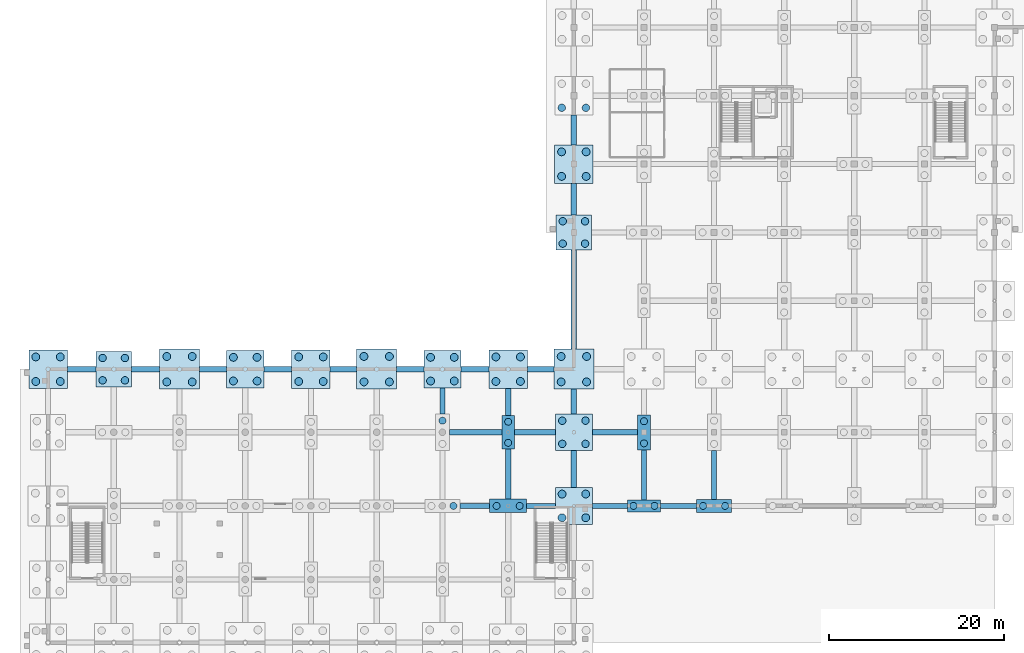
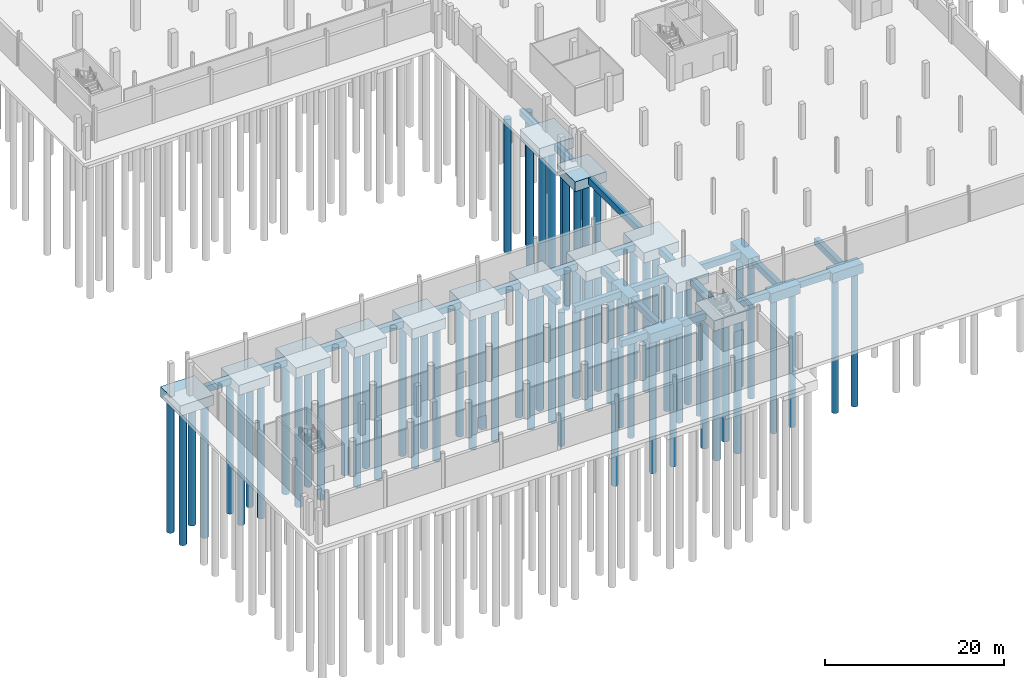
# One storey, part 3 of 44: 66 piles, 43 footings.
"""IFC4 building model written with IfcOpenShell, lengths in metres."""

from ifc_helpers import new_model, si_unit, direction, frame, origin, origin_2d, place, context, subcontext, project, spatial, polyline, rectangle, circle, outline, extrude, material, material_profile, profile_set, type_object, element, save


model = new_model("IFC4")

# Units and contexts
model_context = context("Model", 3, precision=1e-05, world=origin(), true_north=direction((0.0, 1.0)))
body_context = subcontext(model_context, "Body", "Model", "MODEL_VIEW")
ifc_project = project(units=[si_unit("LENGTHUNIT", "METRE"), si_unit("AREAUNIT", "SQUARE_METRE"), si_unit("VOLUMEUNIT", "CUBIC_METRE"), si_unit("PLANEANGLEUNIT", "RADIAN"), si_unit("MASSUNIT", "GRAM", prefix="KILO")], contexts=[model_context])

# Site, building, storey
site_placement = place(None, origin())
site = spatial("IfcSite", under=ifc_project, at=site_placement, CompositionType="ELEMENT")
building_placement = place(site_placement, origin())
building = spatial("IfcBuilding", under=site, at=building_placement, Name="Yukiwa Park Conservatory and Herbarium", CompositionType="ELEMENT")
storey_placement = place(building_placement, frame((0.0, 0.0, -4.800048828125)))
storey = spatial("IfcBuildingStorey", under=building, at=storey_placement, Name="B1", CompositionType="ELEMENT", Elevation=-4.800048828125)

# Footings
ifc_material_1 = material(Name="Concrete C35", Category="concrete")
footing_type_1 = type_object("IfcFootingType", Name="FT-BEAM-600X900", PredefinedType="FOOTING_BEAM", material=ifc_material_1)
footing_1_placement = place(storey_placement, frame((0.0, 0.0, -1.349853515625)))
element("IfcFooting", 1, at=footing_1_placement, inside=storey, type_object=footing_type_1, Name="Foundation tie beam X-23", PredefinedType="FOOTING_BEAM", context=body_context, shape_type="SweptSolid", body=[
    extrude(outline(polyline([(47.0, 15.300048828125), (50.39990234375, 15.300048828125), (50.39990234375, 15.89990234375), (47.0, 15.89990234375), (47.0, 15.300048828125)])), origin(), (0.0, 0.0, 1.0), 0.89990234375),
])
footing_2_placement = place(storey_placement, frame((0.0, 0.0, -1.349853515625)))
element("IfcFooting", 2, at=footing_2_placement, inside=storey, type_object=footing_type_1, Name="Foundation tie beam X-24", PredefinedType="FOOTING_BEAM", context=body_context, shape_type="SweptSolid", body=[
    extrude(outline(polyline([(54.60009765625, 15.300048828125), (57.8798828125, 15.300048828125), (57.8798828125, 15.89990234375), (54.60009765625, 15.89990234375), (54.60009765625, 15.300048828125)])), origin(), (0.0, 0.0, 1.0), 0.89990234375),
])
footing_3_placement = place(storey_placement, frame((0.0, 0.0, -1.349853515625)))
element("IfcFooting", 3, at=footing_3_placement, inside=storey, type_object=footing_type_1, Name="Foundation tie beam X-25", PredefinedType="FOOTING_BEAM", context=body_context, shape_type="SweptSolid", body=[
    extrude(outline(polyline([(62.1201171875, 15.300048828125), (66.10009765625, 15.300048828125), (66.10009765625, 15.89990234375), (62.1201171875, 15.89990234375), (62.1201171875, 15.300048828125)])), origin(), (0.0, 0.0, 1.0), 0.89990234375),
])
footing_4_placement = place(storey_placement, frame((0.0, 0.0, -1.349853515625)))
element("IfcFooting", 4, at=footing_4_placement, inside=storey, type_object=footing_type_1, Name="Foundation tie beam X-26", PredefinedType="FOOTING_BEAM", context=body_context, shape_type="SweptSolid", body=[
    extrude(outline(polyline([(69.89990234375, 15.300048828125), (74.0, 15.300048828125), (74.0, 15.89990234375), (69.89990234375, 15.89990234375), (69.89990234375, 15.300048828125)])), origin(), (0.0, 0.0, 1.0), 0.89990234375),
])
footing_5_placement = place(storey_placement, frame((0.0, 0.0, -1.349853515625)))
element("IfcFooting", 5, at=footing_5_placement, inside=storey, type_object=footing_type_1, Name="Foundation tie beam X-37", PredefinedType="FOOTING_BEAM", context=body_context, shape_type="SweptSolid", body=[
    extrude(outline(polyline([(45.780029296875, 23.699951171875), (51.800048828125, 23.699951171875), (51.800048828125, 24.300048828125), (45.780029296875, 24.300048828125), (45.780029296875, 23.699951171875)])), origin(), (0.0, 0.0, 1.0), 0.89990234375),
])
footing_6_placement = place(storey_placement, frame((0.0, 0.0, -1.349853515625)))
element("IfcFooting", 6, at=footing_6_placement, inside=storey, type_object=footing_type_1, Name="Foundation tie beam X-38", PredefinedType="FOOTING_BEAM", context=body_context, shape_type="SweptSolid", body=[
    extrude(outline(polyline([(53.199951171875, 23.699951171875), (57.89990234375, 23.699951171875), (57.89990234375, 24.300048828125), (53.199951171875, 24.300048828125), (53.199951171875, 23.699951171875)])), origin(), (0.0, 0.0, 1.0), 0.89990234375),
])
footing_7_placement = place(storey_placement, frame((0.0, 0.0, -1.349853515625)))
element("IfcFooting", 7, at=footing_7_placement, inside=storey, type_object=footing_type_1, Name="Foundation tie beam X-39", PredefinedType="FOOTING_BEAM", context=body_context, shape_type="SweptSolid", body=[
    extrude(outline(polyline([(62.10009765625, 23.699951171875), (67.260009765625, 23.699951171875), (67.260009765625, 24.300048828125), (62.10009765625, 24.300048828125), (62.10009765625, 23.699951171875)])), origin(), (0.0, 0.0, 1.0), 0.89990234375),
])
footing_8_placement = place(storey_placement, frame((0.0, 0.0, -1.349853515625)))
element("IfcFooting", 8, at=footing_8_placement, inside=storey, type_object=footing_type_1, Name="Foundation tie beam X-45", PredefinedType="FOOTING_BEAM", context=body_context, shape_type="SweptSolid", body=[
    extrude(outline(polyline([(2.199951171875, 30.89990234375), (5.47998046875, 30.89990234375), (5.47998046875, 31.5), (2.199951171875, 31.5), (2.199951171875, 30.89990234375)])), origin(), (0.0, 0.0, 1.0), 0.89990234375),
])
footing_9_placement = place(storey_placement, frame((0.0, 0.0, -1.349853515625)))
element("IfcFooting", 9, at=footing_9_placement, inside=storey, type_object=footing_type_1, Name="Foundation tie beam X-46", PredefinedType="FOOTING_BEAM", context=body_context, shape_type="SweptSolid", body=[
    extrude(outline(polyline([(9.52001953125, 30.89990234375), (12.719970703125, 30.89990234375), (12.719970703125, 31.5), (9.52001953125, 31.5), (9.52001953125, 30.89990234375)])), origin(), (0.0, 0.0, 1.0), 0.89990234375),
])
footing_10_placement = place(storey_placement, frame((0.0, 0.0, -1.349853515625)))
element("IfcFooting", 10, at=footing_10_placement, inside=storey, type_object=footing_type_1, Name="Foundation tie beam X-47", PredefinedType="FOOTING_BEAM", context=body_context, shape_type="SweptSolid", body=[
    extrude(outline(polyline([(17.280029296875, 30.89990234375), (20.3798828125, 30.89990234375), (20.3798828125, 31.5), (17.280029296875, 31.5), (17.280029296875, 30.89990234375)])), origin(), (0.0, 0.0, 1.0), 0.89990234375),
])
footing_11_placement = place(storey_placement, frame((0.0, 0.0, -1.349853515625)))
element("IfcFooting", 11, at=footing_11_placement, inside=storey, type_object=footing_type_1, Name="Foundation tie beam X-48", PredefinedType="FOOTING_BEAM", context=body_context, shape_type="SweptSolid", body=[
    extrude(outline(polyline([(24.6201171875, 30.89990234375), (27.800048828125, 30.89990234375), (27.800048828125, 31.5), (24.6201171875, 31.5), (24.6201171875, 30.89990234375)])), origin(), (0.0, 0.0, 1.0), 0.89990234375),
])
footing_12_placement = place(storey_placement, frame((0.0, 0.0, -1.349853515625)))
element("IfcFooting", 12, at=footing_12_placement, inside=storey, type_object=footing_type_1, Name="Foundation tie beam X-49", PredefinedType="FOOTING_BEAM", context=body_context, shape_type="SweptSolid", body=[
    extrude(outline(polyline([(32.199951171875, 30.89990234375), (35.219970703125, 30.89990234375), (35.219970703125, 31.5), (32.199951171875, 31.5), (32.199951171875, 30.89990234375)])), origin(), (0.0, 0.0, 1.0), 0.89990234375),
])
footing_13_placement = place(storey_placement, frame((0.0, 0.0, -1.349853515625)))
element("IfcFooting", 13, at=footing_13_placement, inside=storey, type_object=footing_type_1, Name="Foundation tie beam X-50", PredefinedType="FOOTING_BEAM", context=body_context, shape_type="SweptSolid", body=[
    extrude(outline(polyline([(39.780029296875, 30.89990234375), (42.8798828125, 30.89990234375), (42.8798828125, 31.5), (39.780029296875, 31.5), (39.780029296875, 30.89990234375)])), origin(), (0.0, 0.0, 1.0), 0.89990234375),
])
footing_14_placement = place(storey_placement, frame((0.0, 0.0, -1.349853515625)))
element("IfcFooting", 14, at=footing_14_placement, inside=storey, type_object=footing_type_1, Name="Foundation tie beam X-51", PredefinedType="FOOTING_BEAM", context=body_context, shape_type="SweptSolid", body=[
    extrude(outline(polyline([(47.1201171875, 30.89990234375), (50.300048828125, 30.89990234375), (50.300048828125, 31.5), (47.1201171875, 31.5), (47.1201171875, 30.89990234375)])), origin(), (0.0, 0.0, 1.0), 0.89990234375),
])
footing_15_placement = place(storey_placement, frame((0.0, 0.0, -1.349853515625)))
element("IfcFooting", 15, at=footing_15_placement, inside=storey, type_object=footing_type_1, Name="Foundation tie beam X-52", PredefinedType="FOOTING_BEAM", context=body_context, shape_type="SweptSolid", body=[
    extrude(outline(polyline([(54.699951171875, 30.89990234375), (57.719970703125, 30.89990234375), (57.719970703125, 31.5), (54.699951171875, 31.5), (54.699951171875, 30.89990234375)])), origin(), (0.0, 0.0, 1.0), 0.89990234375),
])
footing_16_placement = place(storey_placement, frame((0.0, 0.0, -1.349853515625)))
element("IfcFooting", 16, at=footing_16_placement, inside=storey, type_object=footing_type_1, Name="Foundation tie beam Y-203", PredefinedType="FOOTING_BEAM", context=body_context, shape_type="SweptSolid", body=[
    extrude(outline(polyline([(44.699951171875, 26.10009765625), (45.300048828125, 26.10009765625), (45.300048828125, 29.080078125), (44.699951171875, 29.080078125), (44.699951171875, 26.10009765625)])), origin(), (0.0, 0.0, 1.0), 0.89990234375),
])
footing_17_placement = place(storey_placement, frame((0.0, 0.0, -1.349853515625)))
element("IfcFooting", 17, at=footing_17_placement, inside=storey, type_object=footing_type_1, Name="Foundation tie beam Y-210", PredefinedType="FOOTING_BEAM", context=body_context, shape_type="SweptSolid", body=[
    extrude(outline(polyline([(52.199951171875, 16.3798828125), (52.800048828125, 16.3798828125), (52.800048828125, 22.10009765625), (52.199951171875, 22.10009765625), (52.199951171875, 16.3798828125)])), origin(), (0.0, 0.0, 1.0), 0.89990234375),
])
footing_18_placement = place(storey_placement, frame((0.0, 0.0, -1.349853515625)))
element("IfcFooting", 18, at=footing_18_placement, inside=storey, type_object=footing_type_1, Name="Foundation tie beam Y-211", PredefinedType="FOOTING_BEAM", context=body_context, shape_type="SweptSolid", body=[
    extrude(outline(polyline([(52.199951171875, 25.89990234375), (52.800048828125, 25.89990234375), (52.800048828125, 29.0), (52.199951171875, 29.0), (52.199951171875, 25.89990234375)])), origin(), (0.0, 0.0, 1.0), 0.89990234375),
])
footing_19_placement = place(storey_placement, frame((0.0, 0.0, -1.349853515625)))
element("IfcFooting", 19, at=footing_19_placement, inside=storey, type_object=footing_type_1, Name="Foundation tie beam Y-218", PredefinedType="FOOTING_BEAM", context=body_context, shape_type="SweptSolid", body=[
    extrude(outline(polyline([(59.699951171875, 17.719970703125), (60.300048828125, 17.719970703125), (60.300048828125, 21.89990234375), (59.699951171875, 21.89990234375), (59.699951171875, 17.719970703125)])), origin(), (0.0, 0.0, 1.0), 0.89990234375),
])
footing_20_placement = place(storey_placement, frame((0.0, 0.0, -1.349853515625)))
element("IfcFooting", 20, at=footing_20_placement, inside=storey, type_object=footing_type_1, Name="Foundation tie beam Y-219", PredefinedType="FOOTING_BEAM", context=body_context, shape_type="SweptSolid", body=[
    extrude(outline(polyline([(59.699951171875, 26.10009765625), (60.300048828125, 26.10009765625), (60.300048828125, 28.919921875), (59.699951171875, 28.919921875), (59.699951171875, 26.10009765625)])), origin(), (0.0, 0.0, 1.0), 0.89990234375),
])
footing_21_placement = place(storey_placement, frame((0.0, 0.0, -1.349853515625)))
element("IfcFooting", 21, at=footing_21_placement, inside=storey, type_object=footing_type_1, Name="Foundation tie beam Y-220", PredefinedType="FOOTING_BEAM", context=body_context, shape_type="SweptSolid", body=[
    extrude(outline(polyline([(59.699951171875, 33.47998046875), (60.300048828125, 33.47998046875), (60.300048828125, 44.780029296875), (59.699951171875, 44.780029296875), (59.699951171875, 33.47998046875)])), origin(), (0.0, 0.0, 1.0), 0.89990234375),
])
footing_22_placement = place(storey_placement, frame((0.0, 0.0, -1.349853515625)))
element("IfcFooting", 22, at=footing_22_placement, inside=storey, type_object=footing_type_1, Name="Foundation tie beam Y-221", PredefinedType="FOOTING_BEAM", context=body_context, shape_type="SweptSolid", body=[
    extrude(outline(polyline([(59.699951171875, 48.820068359375), (60.300048828125, 48.820068359375), (60.300048828125, 52.39990234375), (59.699951171875, 52.39990234375), (59.699951171875, 48.820068359375)])), origin(), (0.0, 0.0, 1.0), 0.89990234375),
])
footing_23_placement = place(storey_placement, frame((0.0, 0.0, -1.349853515625)))
element("IfcFooting", 23, at=footing_23_placement, inside=storey, type_object=footing_type_1, Name="Foundation tie beam Y-222", PredefinedType="FOOTING_BEAM", context=body_context, shape_type="SweptSolid", body=[
    extrude(outline(polyline([(59.699951171875, 56.800048828125), (60.300048828125, 56.800048828125), (60.300048828125, 60.219970703125), (59.699951171875, 60.219970703125), (59.699951171875, 56.800048828125)])), origin(), (0.0, 0.0, 1.0), 0.89990234375),
])
footing_24_placement = place(storey_placement, frame((0.0, 0.0, -1.349853515625)))
element("IfcFooting", 24, at=footing_24_placement, inside=storey, type_object=footing_type_1, Name="Foundation tie beam Y-229", PredefinedType="FOOTING_BEAM", context=body_context, shape_type="SweptSolid", body=[
    extrude(outline(polyline([(67.699951171875, 16.300048828125), (68.300048828125, 16.300048828125), (68.300048828125, 22.0), (67.699951171875, 22.0), (67.699951171875, 16.300048828125)])), origin(), (0.0, 0.0, 1.0), 0.89990234375),
])
footing_25_placement = place(storey_placement, frame((0.0, 0.0, -1.349853515625)))
element("IfcFooting", 25, at=footing_25_placement, inside=storey, type_object=footing_type_1, Name="Foundation tie beam Y-238", PredefinedType="FOOTING_BEAM", context=body_context, shape_type="SweptSolid", body=[
    extrude(outline(polyline([(75.699951171875, 16.340087890625), (76.300048828125, 16.340087890625), (76.300048828125, 21.89990234375), (75.699951171875, 21.89990234375), (75.699951171875, 16.340087890625)])), origin(), (0.0, 0.0, 1.0), 0.89990234375),
])
ifc_material_2 = material(Name="Concrete C35", Category="concrete")
footing_type_2 = type_object("IfcFootingType", Name="FT-PC-1400X3800X1350", PredefinedType="PILE_CAP", material=ifc_material_2)
footing_26_placement = place(storey_placement, frame((52.5, 24.0, -1.800048828125), z_axis=(0.0, 0.0, 1.0), x_axis=(1.0, 0.0, 0.0)))
element("IfcFooting", 26, at=footing_26_placement, inside=storey, type_object=footing_type_2, Name="Reinforced concrete pile cap 64", PredefinedType="PILE_CAP", context=body_context, shape_type="SweptSolid", body=[
    extrude(rectangle(XDim=1.39990234375, YDim=3.800048828125, at=origin_2d()), origin(), (0.0, 0.0, 1.0), 1.35009765625),
])
ifc_material_3 = material(Name="Concrete C35", Category="concrete")
footing_type_3 = type_object("IfcFootingType", Name="FT-PC-1480X4000X1350", PredefinedType="PILE_CAP", material=ifc_material_3)
footing_27_placement = place(storey_placement, frame((68.0, 24.0, -1.800048828125), z_axis=(0.0, 0.0, 1.0), x_axis=(1.0, 0.0, 0.0)))
element("IfcFooting", 27, at=footing_27_placement, inside=storey, type_object=footing_type_3, Name="Reinforced concrete pile cap 86", PredefinedType="PILE_CAP", context=body_context, shape_type="SweptSolid", body=[
    extrude(rectangle(XDim=1.47998046875, YDim=4.0, at=origin_2d()), origin(), (0.0, 0.0, 1.0), 1.35009765625),
])
ifc_material_4 = material(Name="Concrete C35", Category="concrete")
footing_type_4 = type_object("IfcFootingType", Name="FT-PC-3800X1400X1300", PredefinedType="PILE_CAP", material=ifc_material_4)
footing_28_placement = place(storey_placement, frame((68.0, 15.60009765625, -1.75), z_axis=(0.0, 0.0, 1.0), x_axis=(1.0, 0.0, 0.0)))
element("IfcFooting", 28, at=footing_28_placement, inside=storey, type_object=footing_type_4, Name="Reinforced concrete pile cap 85", PredefinedType="PILE_CAP", context=body_context, shape_type="SweptSolid", body=[
    extrude(rectangle(XDim=3.800048828125, YDim=1.39990234375, at=origin_2d()), origin(), (0.0, 0.0, 1.0), 1.300048828125),
])
ifc_material_5 = material(Name="Concrete C35", Category="concrete")
footing_type_5 = type_object("IfcFootingType", Name="FT-PC-4000X1480X1300", PredefinedType="PILE_CAP", material=ifc_material_5)
footing_29_placement = place(storey_placement, frame((76.0, 15.60009765625, -1.75), z_axis=(0.0, 0.0, 1.0), x_axis=(1.0, 0.0, 0.0)))
element("IfcFooting", 29, at=footing_29_placement, inside=storey, type_object=footing_type_5, Name="Reinforced concrete pile cap 95", PredefinedType="PILE_CAP", context=body_context, shape_type="SweptSolid", body=[
    extrude(rectangle(XDim=4.0, YDim=1.47998046875, at=origin_2d()), origin(), (0.0, 0.0, 1.0), 1.300048828125),
])
ifc_material_6 = material(Name="Concrete C35", Category="concrete")
footing_type_6 = type_object("IfcFootingType", Name="FT-PC-4040X4040X1350", PredefinedType="PILE_CAP", material=ifc_material_6)
for number, where, z_axis, x_axis, name in (
    (30, (7.5, 31.199951171875, -1.800048828125), (0.0, 0.0, 1.0), (1.0, 0.0, 0.0), "Reinforced concrete pile cap 10"),
    (31, (60.0, 46.800048828125, -1.800048828125), (0.0, 0.0, 1.0), (1.0, 0.0, 0.0), "Reinforced concrete pile cap 76"),
):
    element("IfcFooting", number, at=place(storey_placement, frame(where, z_axis=z_axis, x_axis=x_axis)), inside=storey, type_object=footing_type_6, Name=name, PredefinedType="PILE_CAP", context=body_context, shape_type="SweptSolid", body=[
        extrude(rectangle(XDim=4.0400390625, YDim=4.0400390625, at=origin_2d()), origin(), (0.0, 0.0, 1.0), 1.35009765625),
    ])
ifc_material_7 = material(Name="Concrete C35", Category="concrete")
footing_type_7 = type_object("IfcFootingType", Name="FT-PC-4200X1560X1300", PredefinedType="PILE_CAP", material=ifc_material_7)
footing_30_placement = place(storey_placement, frame((52.5, 15.60009765625, -1.75), z_axis=(0.0, 0.0, 1.0), x_axis=(1.0, 0.0, 0.0)))
element("IfcFooting", 32, at=footing_30_placement, inside=storey, type_object=footing_type_7, Name="Reinforced concrete pile cap 63", PredefinedType="PILE_CAP", context=body_context, shape_type="SweptSolid", body=[
    extrude(rectangle(XDim=4.199951171875, YDim=1.56005859375, at=origin_2d()), origin(), (0.0, 0.0, 1.0), 1.300048828125),
])
ifc_material_8 = material(Name="Concrete C35", Category="concrete")
footing_type_8 = type_object("IfcFootingType", Name="FT-PC-4200X4200X1350", PredefinedType="PILE_CAP", material=ifc_material_8)
footing_31_placement = place(storey_placement, frame((60.0, 24.0, -1.800048828125), z_axis=(0.0, 0.0, 1.0), x_axis=(1.0, 0.0, 0.0)))
element("IfcFooting", 33, at=footing_31_placement, inside=storey, type_object=footing_type_8, Name="Reinforced concrete pile cap 74", PredefinedType="PILE_CAP", context=body_context, shape_type="SweptSolid", body=[
    extrude(rectangle(XDim=4.199951171875, YDim=4.199951171875, at=origin_2d()), origin(), (0.0, 0.0, 1.0), 1.35009765625),
])
ifc_material_9 = material(Name="Concrete C35", Category="concrete")
footing_type_9 = type_object("IfcFootingType", Name="FT-PC-4240X4240X1400", PredefinedType="PILE_CAP", material=ifc_material_9)
for number, where, z_axis, x_axis, name in (
    (34, (22.5, 31.199951171875, -1.849853515625), (0.0, 0.0, 1.0), (1.0, 0.0, 0.0), "Reinforced concrete pile cap 25"),
    (35, (45.0, 31.199951171875, -1.849853515625), (0.0, 0.0, 1.0), (1.0, 0.0, 0.0), "Reinforced concrete pile cap 55"),
    (36, (60.0, 15.60009765625, -1.849853515625), (0.0, 0.0, 1.0), (1.0, 0.0, 0.0), "Reinforced concrete pile cap 73"),
):
    element("IfcFooting", number, at=place(storey_placement, frame(where, z_axis=z_axis, x_axis=x_axis)), inside=storey, type_object=footing_type_9, Name=name, PredefinedType="PILE_CAP", context=body_context, shape_type="SweptSolid", body=[
        extrude(rectangle(XDim=4.239990234375, YDim=4.239990234375, at=origin_2d()), origin(), (0.0, 0.0, 1.0), 1.39990234375),
    ])
ifc_material_10 = material(Name="Concrete C35", Category="concrete")
footing_type_10 = type_object("IfcFootingType", Name="FT-PC-4400X4400X1400", PredefinedType="PILE_CAP", material=ifc_material_10)
for number, where, z_axis, x_axis, name in (
    (37, (0.0, 31.199951171875, -1.849853515625), (0.0, 0.0, 1.0), (1.0, 0.0, 0.0), "Reinforced concrete pile cap 5"),
    (38, (30.0, 31.199951171875, -1.849853515625), (0.0, 0.0, 1.0), (1.0, 0.0, 0.0), "Reinforced concrete pile cap 35"),
    (39, (52.5, 31.199951171875, -1.849853515625), (0.0, 0.0, 1.0), (1.0, 0.0, 0.0), "Reinforced concrete pile cap 65"),
    (40, (60.0, 54.60009765625, -1.849853515625), (0.0, 0.0, 1.0), (1.0, 0.0, 0.0), "Reinforced concrete pile cap 77"),
):
    element("IfcFooting", number, at=place(storey_placement, frame(where, z_axis=z_axis, x_axis=x_axis)), inside=storey, type_object=footing_type_10, Name=name, PredefinedType="PILE_CAP", context=body_context, shape_type="SweptSolid", body=[
        extrude(rectangle(XDim=4.39990234375, YDim=4.39990234375, at=origin_2d()), origin(), (0.0, 0.0, 1.0), 1.39990234375),
    ])
ifc_material_11 = material(Name="Concrete C35", Category="concrete")
footing_type_11 = type_object("IfcFootingType", Name="FT-PC-4560X4560X1400", PredefinedType="PILE_CAP", material=ifc_material_11)
for number, where, z_axis, x_axis, name in (
    (41, (15.0, 31.199951171875, -1.849853515625), (0.0, 0.0, 1.0), (1.0, 0.0, 0.0), "Reinforced concrete pile cap 15"),
    (42, (37.5, 31.199951171875, -1.849853515625), (0.0, 0.0, 1.0), (1.0, 0.0, 0.0), "Reinforced concrete pile cap 45"),
    (43, (60.0, 31.199951171875, -1.849853515625), (0.0, 0.0, 1.0), (1.0, 0.0, 0.0), "Reinforced concrete pile cap 75"),
):
    element("IfcFooting", number, at=place(storey_placement, frame(where, z_axis=z_axis, x_axis=x_axis)), inside=storey, type_object=footing_type_11, Name=name, PredefinedType="PILE_CAP", context=body_context, shape_type="SweptSolid", body=[
        extrude(rectangle(XDim=4.56005859375, YDim=4.56005859375, at=origin_2d()), origin(), (0.0, 0.0, 1.0), 1.39990234375),
    ])

# Piles
ifc_material_12 = material(Name="Concrete C35", Category="concrete")
ifc_material_profile_1 = material_profile(ifc_material_12, circle(Radius=0.39990234375, at=origin_2d()), Name="PILE D800")
ifc_profile_set_1 = profile_set([ifc_material_profile_1], Name="Concrete C35")
pile_type_1 = type_object("IfcPileType", Name="PL-BORED-D800", PredefinedType="BORED", material=ifc_profile_set_1)
pile_1_placement = place(storey_placement, frame((46.260009765625, 15.60009765625, -1.64990234375), z_axis=(0.0, 0.0, -1.0), x_axis=(1.0, 0.0, 0.0)))
element("IfcPile", 44, at=pile_1_placement, inside=storey, type_object=pile_type_1, Name="Bored cast-in-place pile 53.2", PredefinedType="BORED", context=body_context, shape_type="SweptSolid", body=[
    extrude(circle(Radius=0.39990234375, at=origin_2d()), origin(), (0.0, 0.0, 1.0), 18.35009765625),
])
pile_2_placement = place(storey_placement, frame((45.0, 25.320068359375, -1.699951171875), z_axis=(0.0, 0.0, -1.0), x_axis=(1.0, 0.0, 0.0)))
element("IfcPile", 45, at=pile_2_placement, inside=storey, type_object=pile_type_1, Name="Bored cast-in-place pile 54.2", PredefinedType="BORED", context=body_context, shape_type="SweptSolid", body=[
    extrude(circle(Radius=0.39990234375, at=origin_2d()), origin(), (0.0, 0.0, 1.0), 18.300048828125),
])
for number, where, z_axis, x_axis, name in (
    (46, (51.179931640625, 15.60009765625, -1.64990234375), (0.0, 0.0, -1.0), (1.0, 0.0, 0.0), "Bored cast-in-place pile 63.1"),
    (47, (53.820068359375, 15.60009765625, -1.64990234375), (0.0, 0.0, -1.0), (1.0, 0.0, 0.0), "Bored cast-in-place pile 63.2"),
):
    element("IfcPile", number, at=place(storey_placement, frame(where, z_axis=z_axis, x_axis=x_axis)), inside=storey, type_object=pile_type_1, Name=name, PredefinedType="BORED", context=body_context, shape_type="SweptSolid", body=[
        extrude(circle(Radius=0.39990234375, at=origin_2d()), origin(), (0.0, 0.0, 1.0), 18.35009765625),
    ])
for number, where, z_axis, x_axis, name in (
    (48, (52.5, 22.800048828125, -1.699951171875), (0.0, 0.0, -1.0), (1.0, 0.0, 0.0), "Bored cast-in-place pile 64.1"),
    (49, (52.5, 25.199951171875, -1.699951171875), (0.0, 0.0, -1.0), (1.0, 0.0, 0.0), "Bored cast-in-place pile 64.2"),
):
    element("IfcPile", number, at=place(storey_placement, frame(where, z_axis=z_axis, x_axis=x_axis)), inside=storey, type_object=pile_type_1, Name=name, PredefinedType="BORED", context=body_context, shape_type="SweptSolid", body=[
        extrude(circle(Radius=0.39990234375, at=origin_2d()), origin(), (0.0, 0.0, 1.0), 18.300048828125),
    ])
for number, where, z_axis, x_axis, name in (
    (50, (66.800048828125, 15.60009765625, -1.64990234375), (0.0, 0.0, -1.0), (1.0, 0.0, 0.0), "Bored cast-in-place pile 85.1"),
    (51, (69.199951171875, 15.60009765625, -1.64990234375), (0.0, 0.0, -1.0), (1.0, 0.0, 0.0), "Bored cast-in-place pile 85.2"),
):
    element("IfcPile", number, at=place(storey_placement, frame(where, z_axis=z_axis, x_axis=x_axis)), inside=storey, type_object=pile_type_1, Name=name, PredefinedType="BORED", context=body_context, shape_type="SweptSolid", body=[
        extrude(circle(Radius=0.39990234375, at=origin_2d()), origin(), (0.0, 0.0, 1.0), 18.35009765625),
    ])
for number, where, z_axis, x_axis, name in (
    (52, (68.0, 22.739990234375, -1.699951171875), (0.0, 0.0, -1.0), (1.0, 0.0, 0.0), "Bored cast-in-place pile 86.1"),
    (53, (68.0, 25.260009765625, -1.699951171875), (0.0, 0.0, -1.0), (1.0, 0.0, 0.0), "Bored cast-in-place pile 86.2"),
):
    element("IfcPile", number, at=place(storey_placement, frame(where, z_axis=z_axis, x_axis=x_axis)), inside=storey, type_object=pile_type_1, Name=name, PredefinedType="BORED", context=body_context, shape_type="SweptSolid", body=[
        extrude(circle(Radius=0.39990234375, at=origin_2d()), origin(), (0.0, 0.0, 1.0), 18.300048828125),
    ])
for number, where, z_axis, x_axis, name in (
    (54, (74.739990234375, 15.60009765625, -1.64990234375), (0.0, 0.0, -1.0), (1.0, 0.0, 0.0), "Bored cast-in-place pile 95.1"),
    (55, (77.260009765625, 15.60009765625, -1.64990234375), (0.0, 0.0, -1.0), (1.0, 0.0, 0.0), "Bored cast-in-place pile 95.2"),
):
    element("IfcPile", number, at=place(storey_placement, frame(where, z_axis=z_axis, x_axis=x_axis)), inside=storey, type_object=pile_type_1, Name=name, PredefinedType="BORED", context=body_context, shape_type="SweptSolid", body=[
        extrude(circle(Radius=0.39990234375, at=origin_2d()), origin(), (0.0, 0.0, 1.0), 18.35009765625),
    ])
ifc_material_13 = material(Name="Concrete C35", Category="concrete")
ifc_material_profile_2 = material_profile(ifc_material_13, circle(Radius=0.425048828125, at=origin_2d()), Name="PILE D850")
ifc_profile_set_2 = profile_set([ifc_material_profile_2], Name="Concrete C35")
pile_type_2 = type_object("IfcPileType", Name="PL-BORED-D850", PredefinedType="BORED", material=ifc_profile_set_2)
for number, where, z_axis, x_axis, name in (
    (56, (6.22509765625, 29.925048828125, -1.699951171875), (0.0, 0.0, -1.0), (1.0, 0.0, 0.0), "Bored cast-in-place pile 10.1"),
    (57, (8.77490234375, 29.925048828125, -1.699951171875), (0.0, 0.0, -1.0), (1.0, 0.0, 0.0), "Bored cast-in-place pile 10.2"),
    (58, (6.22509765625, 32.47509765625, -1.699951171875), (0.0, 0.0, -1.0), (1.0, 0.0, 0.0), "Bored cast-in-place pile 10.3"),
    (59, (8.77490234375, 32.47509765625, -1.699951171875), (0.0, 0.0, -1.0), (1.0, 0.0, 0.0), "Bored cast-in-place pile 10.4"),
    (60, (58.675048828125, 22.675048828125, -1.699951171875), (0.0, 0.0, -1.0), (1.0, 0.0, 0.0), "Bored cast-in-place pile 74.1"),
    (61, (61.324951171875, 22.675048828125, -1.699951171875), (0.0, 0.0, -1.0), (1.0, 0.0, 0.0), "Bored cast-in-place pile 74.2"),
    (62, (58.675048828125, 25.324951171875, -1.699951171875), (0.0, 0.0, -1.0), (1.0, 0.0, 0.0), "Bored cast-in-place pile 74.3"),
    (63, (61.324951171875, 25.324951171875, -1.699951171875), (0.0, 0.0, -1.0), (1.0, 0.0, 0.0), "Bored cast-in-place pile 74.4"),
    (64, (58.72509765625, 45.52490234375, -1.699951171875), (0.0, 0.0, -1.0), (1.0, 0.0, 0.0), "Bored cast-in-place pile 76.1"),
    (65, (61.27490234375, 45.52490234375, -1.699951171875), (0.0, 0.0, -1.0), (1.0, 0.0, 0.0), "Bored cast-in-place pile 76.2"),
    (66, (58.72509765625, 48.074951171875, -1.699951171875), (0.0, 0.0, -1.0), (1.0, 0.0, 0.0), "Bored cast-in-place pile 76.3"),
    (67, (61.27490234375, 48.074951171875, -1.699951171875), (0.0, 0.0, -1.0), (1.0, 0.0, 0.0), "Bored cast-in-place pile 76.4"),
    (68, (58.625, 61.02490234375, -1.699951171875), (0.0, 0.0, -1.0), (1.0, 0.0, 0.0), "Bored cast-in-place pile 78.1"),
    (69, (61.375, 61.02490234375, -1.699951171875), (0.0, 0.0, -1.0), (1.0, 0.0, 0.0), "Bored cast-in-place pile 78.2"),
):
    element("IfcPile", number, at=place(storey_placement, frame(where, z_axis=z_axis, x_axis=x_axis)), inside=storey, type_object=pile_type_2, Name=name, PredefinedType="BORED", context=body_context, shape_type="SweptSolid", body=[
        extrude(circle(Radius=0.425048828125, at=origin_2d()), origin(), (0.0, 0.0, 1.0), 18.300048828125),
    ])
ifc_material_14 = material(Name="Concrete C35", Category="concrete")
ifc_material_profile_3 = material_profile(ifc_material_14, circle(Radius=0.449951171875, at=origin_2d()), Name="PILE D900")
ifc_profile_set_3 = profile_set([ifc_material_profile_3], Name="Concrete C35")
pile_type_3 = type_object("IfcPileType", Name="PL-BORED-D900", PredefinedType="BORED", material=ifc_profile_set_3)
for number, where, z_axis, x_axis, name in (
    (70, (-1.39990234375, 29.800048828125, -1.75), (0.0, 0.0, -1.0), (1.0, 0.0, 0.0), "Bored cast-in-place pile 5.1"),
    (71, (1.39990234375, 29.800048828125, -1.75), (0.0, 0.0, -1.0), (1.0, 0.0, 0.0), "Bored cast-in-place pile 5.2"),
    (72, (-1.39990234375, 32.60009765625, -1.75), (0.0, 0.0, -1.0), (1.0, 0.0, 0.0), "Bored cast-in-place pile 5.3"),
    (73, (1.39990234375, 32.60009765625, -1.75), (0.0, 0.0, -1.0), (1.0, 0.0, 0.0), "Bored cast-in-place pile 5.4"),
    (74, (13.550048828125, 29.75, -1.75), (0.0, 0.0, -1.0), (1.0, 0.0, 0.0), "Bored cast-in-place pile 15.1"),
    (75, (16.449951171875, 29.75, -1.75), (0.0, 0.0, -1.0), (1.0, 0.0, 0.0), "Bored cast-in-place pile 15.2"),
    (76, (13.550048828125, 32.64990234375, -1.75), (0.0, 0.0, -1.0), (1.0, 0.0, 0.0), "Bored cast-in-place pile 15.3"),
    (77, (16.449951171875, 32.64990234375, -1.75), (0.0, 0.0, -1.0), (1.0, 0.0, 0.0), "Bored cast-in-place pile 15.4"),
    (78, (21.14990234375, 29.85009765625, -1.75), (0.0, 0.0, -1.0), (1.0, 0.0, 0.0), "Bored cast-in-place pile 25.1"),
    (79, (23.85009765625, 29.85009765625, -1.75), (0.0, 0.0, -1.0), (1.0, 0.0, 0.0), "Bored cast-in-place pile 25.2"),
    (80, (21.14990234375, 32.550048828125, -1.75), (0.0, 0.0, -1.0), (1.0, 0.0, 0.0), "Bored cast-in-place pile 25.3"),
    (81, (23.85009765625, 32.550048828125, -1.75), (0.0, 0.0, -1.0), (1.0, 0.0, 0.0), "Bored cast-in-place pile 25.4"),
    (82, (28.60009765625, 29.800048828125, -1.75), (0.0, 0.0, -1.0), (1.0, 0.0, 0.0), "Bored cast-in-place pile 35.1"),
    (83, (31.39990234375, 29.800048828125, -1.75), (0.0, 0.0, -1.0), (1.0, 0.0, 0.0), "Bored cast-in-place pile 35.2"),
    (84, (28.60009765625, 32.60009765625, -1.75), (0.0, 0.0, -1.0), (1.0, 0.0, 0.0), "Bored cast-in-place pile 35.3"),
    (85, (31.39990234375, 32.60009765625, -1.75), (0.0, 0.0, -1.0), (1.0, 0.0, 0.0), "Bored cast-in-place pile 35.4"),
    (86, (36.050048828125, 29.75, -1.75), (0.0, 0.0, -1.0), (1.0, 0.0, 0.0), "Bored cast-in-place pile 45.1"),
    (87, (38.949951171875, 29.75, -1.75), (0.0, 0.0, -1.0), (1.0, 0.0, 0.0), "Bored cast-in-place pile 45.2"),
    (88, (36.050048828125, 32.64990234375, -1.75), (0.0, 0.0, -1.0), (1.0, 0.0, 0.0), "Bored cast-in-place pile 45.3"),
    (89, (38.949951171875, 32.64990234375, -1.75), (0.0, 0.0, -1.0), (1.0, 0.0, 0.0), "Bored cast-in-place pile 45.4"),
    (90, (43.64990234375, 29.85009765625, -1.75), (0.0, 0.0, -1.0), (1.0, 0.0, 0.0), "Bored cast-in-place pile 55.1"),
    (91, (46.35009765625, 29.85009765625, -1.75), (0.0, 0.0, -1.0), (1.0, 0.0, 0.0), "Bored cast-in-place pile 55.2"),
    (92, (43.64990234375, 32.550048828125, -1.75), (0.0, 0.0, -1.0), (1.0, 0.0, 0.0), "Bored cast-in-place pile 55.3"),
    (93, (46.35009765625, 32.550048828125, -1.75), (0.0, 0.0, -1.0), (1.0, 0.0, 0.0), "Bored cast-in-place pile 55.4"),
    (94, (51.10009765625, 29.800048828125, -1.75), (0.0, 0.0, -1.0), (1.0, 0.0, 0.0), "Bored cast-in-place pile 65.1"),
    (95, (53.89990234375, 29.800048828125, -1.75), (0.0, 0.0, -1.0), (1.0, 0.0, 0.0), "Bored cast-in-place pile 65.2"),
    (96, (51.10009765625, 32.60009765625, -1.75), (0.0, 0.0, -1.0), (1.0, 0.0, 0.0), "Bored cast-in-place pile 65.3"),
    (97, (53.89990234375, 32.60009765625, -1.75), (0.0, 0.0, -1.0), (1.0, 0.0, 0.0), "Bored cast-in-place pile 65.4"),
    (98, (58.64990234375, 14.25, -1.75), (0.0, 0.0, -1.0), (1.0, 0.0, 0.0), "Bored cast-in-place pile 73.1"),
    (99, (61.35009765625, 14.25, -1.75), (0.0, 0.0, -1.0), (1.0, 0.0, 0.0), "Bored cast-in-place pile 73.2"),
    (100, (58.64990234375, 16.949951171875, -1.75), (0.0, 0.0, -1.0), (1.0, 0.0, 0.0), "Bored cast-in-place pile 73.3"),
    (101, (61.35009765625, 16.949951171875, -1.75), (0.0, 0.0, -1.0), (1.0, 0.0, 0.0), "Bored cast-in-place pile 73.4"),
    (102, (58.550048828125, 29.75, -1.75), (0.0, 0.0, -1.0), (1.0, 0.0, 0.0), "Bored cast-in-place pile 75.1"),
    (103, (61.449951171875, 29.75, -1.75), (0.0, 0.0, -1.0), (1.0, 0.0, 0.0), "Bored cast-in-place pile 75.2"),
    (104, (58.550048828125, 32.64990234375, -1.75), (0.0, 0.0, -1.0), (1.0, 0.0, 0.0), "Bored cast-in-place pile 75.3"),
    (105, (61.449951171875, 32.64990234375, -1.75), (0.0, 0.0, -1.0), (1.0, 0.0, 0.0), "Bored cast-in-place pile 75.4"),
    (106, (58.60009765625, 53.199951171875, -1.75), (0.0, 0.0, -1.0), (1.0, 0.0, 0.0), "Bored cast-in-place pile 77.1"),
    (107, (61.39990234375, 53.199951171875, -1.75), (0.0, 0.0, -1.0), (1.0, 0.0, 0.0), "Bored cast-in-place pile 77.2"),
    (108, (58.60009765625, 56.0, -1.75), (0.0, 0.0, -1.0), (1.0, 0.0, 0.0), "Bored cast-in-place pile 77.3"),
    (109, (61.39990234375, 56.0, -1.75), (0.0, 0.0, -1.0), (1.0, 0.0, 0.0), "Bored cast-in-place pile 77.4"),
):
    element("IfcPile", number, at=place(storey_placement, frame(where, z_axis=z_axis, x_axis=x_axis)), inside=storey, type_object=pile_type_3, Name=name, PredefinedType="BORED", context=body_context, shape_type="SweptSolid", body=[
        extrude(circle(Radius=0.449951171875, at=origin_2d()), origin(), (0.0, 0.0, 1.0), 18.25),
    ])

save(model, "model.ifc")
